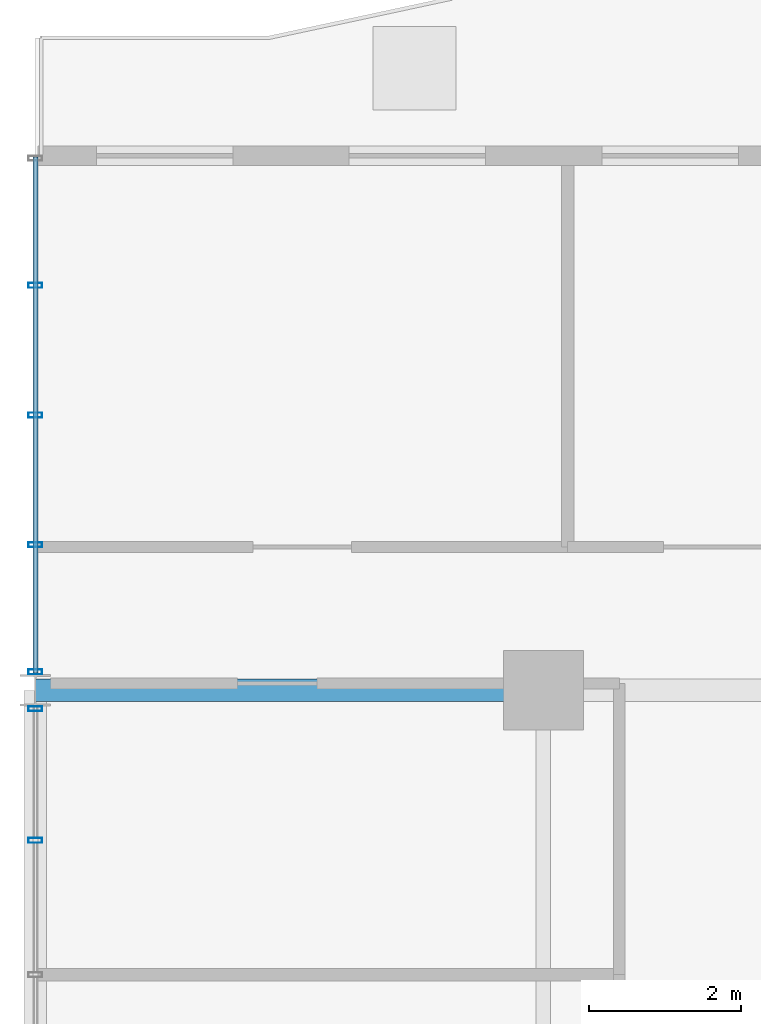
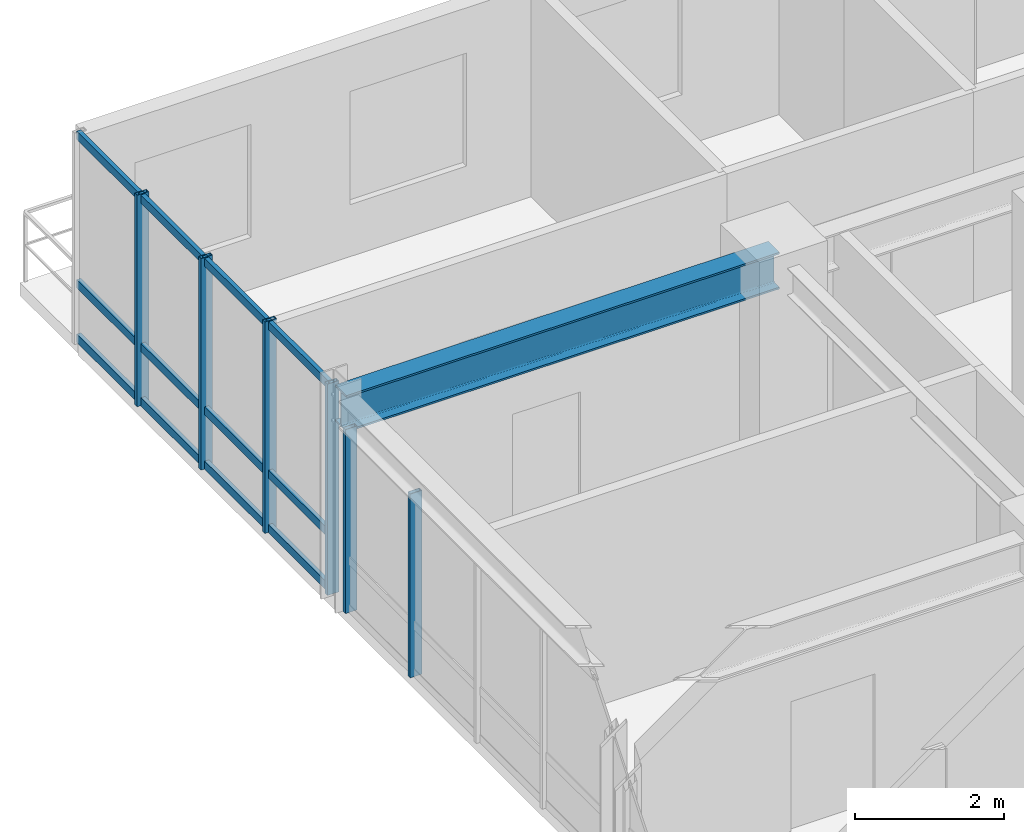
# One storey, part 7 of 19: 9 members, 1 beam, 2 elements without a shape of their own.
"""IFC4 building model written with IfcOpenShell, lengths in metres."""

import ifcopenshell
import ifcopenshell.guid

model = None  # the IFC model being written
_history = None  # IfcOwnerHistory: only IFC2X3 demands one
_inside = {}  # id of a spatial element -> (the spatial element, [elements in it])
_under = {}  # id of a project, library or spatial element -> (it, [spatial elements below it])
_declared = {}  # id of a project -> (the project, [libraries it declares])
_typed = {}  # id of a type object -> (the type object, [elements of that type])
_made_of = {}  # id of a material, layer set ... -> (it, [elements and type objects made of it])


def new_model(schema):
    """Start an empty IFC model of exactly this schema.

    Asked for "IFC4X3", IfcOpenShell would pick the latest addendum, in which some entities
    have other attributes; the version numbers below select the first issue.
    IFC2X3 requires an IfcOwnerHistory on every rooted entity: one is made here for all.
    """
    global model, _history
    if schema == "IFC4X3":
        model = ifcopenshell.file(schema_version=(4, 3, 0, 0))
    else:
        model = ifcopenshell.file(schema=schema)
    _inside.clear()
    _under.clear()
    _declared.clear()
    _typed.clear()
    _made_of.clear()
    _history = None
    if model.schema == "IFC2X3":
        org = make("IfcOrganization", Name="unknown")
        user = make(
            "IfcPersonAndOrganization",
            ThePerson=make("IfcPerson", FamilyName="unknown"),
            TheOrganization=org,
        )
        app = make(
            "IfcApplication",
            ApplicationDeveloper=org,
            Version="unknown",
            ApplicationFullName="unknown",
            ApplicationIdentifier="unknown",
        )
        _history = make(
            "IfcOwnerHistory",
            OwningUser=user,
            OwningApplication=app,
            ChangeAction="ADDED",
            CreationDate=0,
        )
    return model


def make(cls, **values):
    """One entity of the class cls with the attributes given. An attribute that is None is left unset."""
    return model.create_entity(
        cls, **{name: value for name, value in values.items() if value is not None}
    )


def rooted(cls, **values):
    """An entity with a GlobalId (a new one), such as an element, a storey or a relation."""
    return make(cls, GlobalId=ifcopenshell.guid.new(), OwnerHistory=_history, **values)


def si_unit(unit_type, name, prefix=None):
    """IfcSIUnit, for example si_unit("LENGTHUNIT", "METRE", prefix="MILLI")."""
    return make("IfcSIUnit", UnitType=unit_type, Prefix=prefix, Name=name)


def assignment(units):
    """IfcUnitAssignment: the units of a project."""
    return None if units is None else make("IfcUnitAssignment", Units=units)


def point(xyz):
    """IfcCartesianPoint."""
    return None if xyz is None else make("IfcCartesianPoint", Coordinates=xyz)


def direction(xyz):
    """IfcDirection."""
    return None if xyz is None else make("IfcDirection", DirectionRatios=xyz)


def frame(location, z_axis=None, x_axis=None):
    """IfcAxis2Placement3D, a coordinate frame: its origin and axes. An axis left out is left unset."""
    return make(
        "IfcAxis2Placement3D",
        Location=point(location),
        Axis=direction(z_axis),
        RefDirection=direction(x_axis),
    )


def frame_2d(location, x_axis=None):
    """IfcAxis2Placement2D, a coordinate frame in the plane: its origin and x axis."""
    return make(
        "IfcAxis2Placement2D", Location=point(location), RefDirection=direction(x_axis)
    )


def origin():
    """The frame at (0, 0, 0) with its axes left unset."""
    return frame((0.0, 0.0, 0.0))


def origin_2d():
    """The frame at (0, 0) in the plane with its x axis left unset."""
    return frame_2d((0.0, 0.0))


def place(relative_to, where):
    """IfcLocalPlacement: puts the frame where relative to a parent placement (None: the world)."""
    return make(
        "IfcLocalPlacement", PlacementRelTo=relative_to, RelativePlacement=where
    )


def context(
    kind, dimensions, precision=None, world=None, true_north=None, identifier=None
):
    """IfcGeometricRepresentationContext, for example the 3D "Model" context."""
    return make(
        "IfcGeometricRepresentationContext",
        ContextIdentifier=identifier,
        ContextType=kind,
        CoordinateSpaceDimension=dimensions,
        Precision=precision,
        WorldCoordinateSystem=world,
        TrueNorth=true_north,
    )


def subcontext(parent, identifier, kind, view, scale=None):
    """IfcGeometricRepresentationSubContext, for example "Body" below "Model"."""
    return make(
        "IfcGeometricRepresentationSubContext",
        ContextIdentifier=identifier,
        ContextType=kind,
        ParentContext=parent,
        TargetScale=scale,
        TargetView=view,
    )


def project(units=None, contexts=None):
    """IfcProject with its units and contexts."""
    return rooted(
        "IfcProject",
        Name="project",
        RepresentationContexts=contexts,
        UnitsInContext=assignment(units),
    )


def spatial(cls, under=None, at=None, **own):
    """A site, building, storey or space (cls), placed at a placement, below another one or the project."""
    s = rooted(cls, ObjectPlacement=at, **own)
    if under is not None:
        _under.setdefault(under.id(), (under, []))[1].append(s)
    return s


def profile(cls, at=None, kind="AREA", **sizes):
    """A parametric profile (cls). Its sizes go by their IFC names, for example OverallWidth=200.0."""
    return make(cls, ProfileType=kind, Position=at, **sizes)


def hollow_rectangle(**sizes):
    """IfcRectangleHollowProfileDef."""
    return profile("IfcRectangleHollowProfileDef", **sizes)


def i_section(**sizes):
    """IfcIShapeProfileDef."""
    return profile("IfcIShapeProfileDef", **sizes)


def extrude(swept, where, along, depth):
    """IfcExtrudedAreaSolid: the profile swept, set in the frame where, extruded along a direction by depth."""
    return make(
        "IfcExtrudedAreaSolid",
        SweptArea=swept,
        Position=where,
        ExtrudedDirection=direction(along),
        Depth=depth,
    )


def shape(context_of_items, identifier, shape_type, items):
    """IfcShapeRepresentation: the items that make up one representation, for example the "Body"."""
    return make(
        "IfcShapeRepresentation",
        ContextOfItems=context_of_items,
        RepresentationIdentifier=identifier,
        RepresentationType=shape_type,
        Items=items,
    )


def source(mapping_origin, context_of_items, identifier, shape_type, items):
    """IfcRepresentationMap: a shape defined once, which mapped items show again and again."""
    return make(
        "IfcRepresentationMap",
        MappingOrigin=mapping_origin,
        MappedRepresentation=shape(context_of_items, identifier, shape_type, items),
    )


def transform(
    local_origin,
    x_axis=None,
    y_axis=None,
    z_axis=None,
    scale=None,
    scale2=None,
    scale3=None,
    uniform=True,
):
    """IfcCartesianTransformationOperator3D, or its non-uniform kind. x_axis, y_axis, z_axis: its Axis1, 2, 3."""
    if uniform:
        return make(
            "IfcCartesianTransformationOperator3D",
            Axis1=direction(x_axis),
            Axis2=direction(y_axis),
            LocalOrigin=point(local_origin),
            Scale=scale,
            Axis3=direction(z_axis),
        )
    return make(
        "IfcCartesianTransformationOperator3DnonUniform",
        Axis1=direction(x_axis),
        Axis2=direction(y_axis),
        LocalOrigin=point(local_origin),
        Scale=scale,
        Axis3=direction(z_axis),
        Scale2=scale2,
        Scale3=scale3,
    )


def mapped(mapping_source, mapping_target):
    """IfcMappedItem: shows the shape of a source again, moved by a transform."""
    return make(
        "IfcMappedItem", MappingSource=mapping_source, MappingTarget=mapping_target
    )


def material(Name=None, Category=None):
    """IfcMaterial."""
    return make("IfcMaterial", Name=Name, Category=Category)


def layer(
    of_material, thickness, ventilated=None, Name=None, Category=None, Priority=None
):
    """IfcMaterialLayer: one layer of a wall or slab, of a material (None: an air gap)."""
    return make(
        "IfcMaterialLayer",
        Material=of_material,
        LayerThickness=thickness,
        IsVentilated=ventilated,
        Name=Name,
        Category=Category,
        Priority=Priority,
    )


def layer_set(layers, Name=None):
    """IfcMaterialLayerSet."""
    return make("IfcMaterialLayerSet", MaterialLayers=layers, LayerSetName=Name)


def material_profile(
    of_material, cross_section, Name=None, Category=None, Priority=None
):
    """IfcMaterialProfile: a cross section and its material."""
    return make(
        "IfcMaterialProfile",
        Name=Name,
        Material=of_material,
        Profile=cross_section,
        Priority=Priority,
        Category=Category,
    )


def profile_set(profiles, Name=None, composite=None):
    """IfcMaterialProfileSet."""
    return make(
        "IfcMaterialProfileSet",
        Name=Name,
        MaterialProfiles=profiles,
        CompositeProfile=composite,
    )


def made_of(thing, what):
    """Note that an element or type object is made of a material, layer set ...; save() writes the relation."""
    if what is not None:
        _made_of.setdefault(what.id(), (what, []))[1].append(thing)
    return thing


def type_object(cls, material=None, **own):
    """A type object (cls), such as IfcWallType, which elements share."""
    return made_of(rooted(cls, **own), material)


def element(
    cls,
    number,
    at=None,
    inside=None,
    cuts=None,
    type_object=None,
    material=None,
    context=None,
    identifier="Body",
    shape_type=None,
    held_by="IfcProductDefinitionShape",
    body=None,
    shapes=None,
    **own,
):
    """One element of the class cls, such as IfcWall. Its Tag is "e" and its number.

    at: its placement. inside: the storey or other place that contains it. cuts: it is an
    opening in that element (IfcRelVoidsElement). A single representation is given by context,
    identifier, shape_type and body (its items); several are given by shapes. held_by: the class
    of the entity that holds the representations. save() writes the other relations.
    """
    e = rooted(cls, Tag="e%d" % number, ObjectPlacement=at, **own)
    if body is not None:
        shapes = [shape(context, identifier, shape_type, body)]
    if shapes is not None:
        e.Representation = make(held_by, Representations=shapes)
    if inside is not None:
        _inside.setdefault(inside.id(), (inside, []))[1].append(e)
    if cuts is not None:
        rooted(
            "IfcRelVoidsElement", RelatingBuildingElement=cuts, RelatedOpeningElement=e
        )
    if type_object is not None:
        _typed.setdefault(type_object.id(), (type_object, []))[1].append(e)
    return made_of(e, material)


def aggregate(whole, parts):
    """IfcRelAggregates: a whole, such as a stair, and the parts it consists of."""
    return rooted("IfcRelAggregates", RelatingObject=whole, RelatedObjects=parts)


def save(model, path):
    """Write the relations noted so far, then the file.

    IfcRelAggregates (storeys below a building ...), IfcRelContainedInSpatialStructure (elements
    in a storey), IfcRelDefinesByType, IfcRelAssociatesMaterial and IfcRelDeclares: one each for
    every whole, place, type object, material and project.
    """
    for whole, parts in _under.values():
        aggregate(whole, parts)
    for where, things in _inside.values():
        rooted(
            "IfcRelContainedInSpatialStructure",
            RelatedElements=things,
            RelatingStructure=where,
        )
    for kind, things in _typed.values():
        rooted("IfcRelDefinesByType", RelatedObjects=things, RelatingType=kind)
    for what, things in _made_of.values():
        rooted("IfcRelAssociatesMaterial", RelatedObjects=things, RelatingMaterial=what)
    for by, libraries in _declared.values():
        rooted("IfcRelDeclares", RelatingContext=by, RelatedDefinitions=libraries)
    model.write(path)


model = new_model("IFC4")

# Units and contexts
model_context = context("Model", 3, precision=1e-05, world=origin(), true_north=direction((0.0, 1.0)))
body_context = subcontext(model_context, "Body", "Model", "MODEL_VIEW")
ifc_project = project(units=[si_unit("LENGTHUNIT", "METRE"), si_unit("AREAUNIT", "SQUARE_METRE"), si_unit("VOLUMEUNIT", "CUBIC_METRE"), si_unit("PLANEANGLEUNIT", "RADIAN"), si_unit("MASSUNIT", "GRAM", prefix="KILO")], contexts=[model_context])

# Site, building, storey
site_placement = place(None, origin())
site = spatial("IfcSite", under=ifc_project, at=site_placement, CompositionType="ELEMENT")
building_placement = place(site_placement, origin())
building = spatial("IfcBuilding", under=site, at=building_placement, Name="Kaliganga Portal Commons", CompositionType="ELEMENT")
storey_placement = place(building_placement, frame((0.0, 0.0, 184.60009765625)))
storey = spatial("IfcBuildingStorey", under=building, at=storey_placement, Name="L47", CompositionType="ELEMENT", Elevation=184.60009765625)

# Beam
ifc_material_1 = material(Name="Structural steel S355J2", Category="steel")
ifc_material_profile_1 = material_profile(ifc_material_1, i_section(OverallWidth=0.300048828125, OverallDepth=0.60009765625, WebThickness=0.015380859375, FlangeThickness=0.030029296875, FilletRadius=0.027099609375, at=origin_2d()), Name="HE 600 B")
ifc_profile_set_1 = profile_set([ifc_material_profile_1], Name="Structural steel S355J2 wide-flange")
beam_type = type_object("IfcBeamType", Name="BM-GIRD-600", PredefinedType="USERDEFINED", material=ifc_profile_set_1)
shared_shape_1 = source(origin(), body_context, "Body", "SweptSolid", [
    extrude(i_section(OverallWidth=0.300048828125, OverallDepth=0.60009765625, WebThickness=0.015380859375, FlangeThickness=0.030029296875, FilletRadius=0.027099609375, at=origin_2d()), origin(), (0.0, 0.0, 1.0), 6.699951171875),
])
beam_placement = place(storey_placement, frame((0.5, 36.14990234375, 3.159912109375), z_axis=(1.0, 0.0, 0.0), x_axis=(0.0, 1.0, 0.0)))
element("IfcBeam", 1, at=beam_placement, inside=storey, type_object=beam_type, Name="BM G L47 WAH_N 1", ObjectType="GIRDER", PredefinedType="USERDEFINED", context=body_context, shape_type="MappedRepresentation", body=[
    mapped(shared_shape_1, transform((0.0, 0.0, 0.0), x_axis=(1.0, 0.0, 0.0), y_axis=(0.0, 1.0, 0.0), z_axis=(0.0, 0.0, 1.0), scale=1.0)),
])

# Curtain wall, members
ifc_material_2 = material(Name="Anodized Aluminium and Laminated Low-E Glass", Category="aluminium")
ifc_layer = layer(ifc_material_2, 0.199951171875)
ifc_layer_set = layer_set([ifc_layer], Name="Anodized Aluminium and Laminated Low-E Glass")
curtain_wall_type = type_object("IfcCurtainWallType", Name="CW-SYS-02", PredefinedType="NOTDEFINED", material=ifc_layer_set)
curtain_wall_1_placement = place(storey_placement, origin())
curtain_wall_1 = element("IfcCurtainWall", 2, at=curtain_wall_1_placement, inside=storey, type_object=curtain_wall_type, Name="CW 02 L47 P1E03S1", PredefinedType="NOTDEFINED")
ifc_material_3 = material(Name="Dark Bronze Anodized Aluminium", Category="aluminium")
ifc_material_profile_2 = material_profile(ifc_material_3, hollow_rectangle(XDim=0.06494140625, YDim=0.179931640625, WallThickness=0.00390625, at=origin_2d()), Name="ALU MULL 65x180x4")
ifc_profile_set_2 = profile_set([ifc_material_profile_2], Name="Dark Bronze Anodized Aluminium")
member_type_1 = type_object("IfcMemberType", Name="CW-MUL-180", PredefinedType="MULLION", material=ifc_profile_set_2)
shared_shape_2 = source(origin(), body_context, "Body", "SweptSolid", [
    extrude(hollow_rectangle(XDim=0.06494140625, YDim=0.179931640625, WallThickness=0.00390625, at=origin_2d()), origin(), (0.0, 0.0, 1.0), 3.4599609375),
])
member_1_placement = place(storey_placement, frame((0.5, 41.489501953125, 0.0), z_axis=(0.0, 0.0, 1.0), x_axis=(0.0, -1.0, 0.0)))
member_1 = element("IfcMember", 3, at=member_1_placement, type_object=member_type_1, Name="CW:02:L47:P1E03S1 Mullion 01", PredefinedType="MULLION", context=body_context, shape_type="MappedRepresentation", body=[
    mapped(shared_shape_2, transform((0.0, 0.0, 0.0), x_axis=(1.0, 0.0, 0.0), y_axis=(0.0, 1.0, 0.0), z_axis=(0.0, 0.0, 1.0), scale=1.0)),
])
member_2_placement = place(storey_placement, frame((0.5, 39.779052734375, 0.0), z_axis=(0.0, 0.0, 1.0), x_axis=(0.0, -1.0, 0.0)))
member_2 = element("IfcMember", 4, at=member_2_placement, type_object=member_type_1, Name="CW:02:L47:P1E03S1 Mullion 02", PredefinedType="MULLION", context=body_context, shape_type="MappedRepresentation", body=[
    mapped(shared_shape_2, transform((0.0, 0.0, 0.0), x_axis=(1.0, 0.0, 0.0), y_axis=(0.0, 1.0, 0.0), z_axis=(0.0, 0.0, 1.0), scale=1.0)),
])
member_3_placement = place(storey_placement, frame((0.5, 38.068603515625, 0.0), z_axis=(0.0, 0.0, 1.0), x_axis=(0.0, -1.0, 0.0)))
member_3 = element("IfcMember", 5, at=member_3_placement, type_object=member_type_1, Name="CW:02:L47:P1E03S1 Mullion 03", PredefinedType="MULLION", context=body_context, shape_type="MappedRepresentation", body=[
    mapped(shared_shape_2, transform((0.0, 0.0, 0.0), x_axis=(1.0, 0.0, 0.0), y_axis=(0.0, 1.0, 0.0), z_axis=(0.0, 0.0, 1.0), scale=1.0)),
])
member_4_placement = place(storey_placement, frame((0.5, 36.39306640625, 0.0), z_axis=(0.0, 0.0, 1.0), x_axis=(0.0, -1.0, 0.0)))
member_4 = element("IfcMember", 6, at=member_4_placement, type_object=member_type_1, Name="CW:02:L47:P1E03S1 Mullion 04", PredefinedType="MULLION", context=body_context, shape_type="MappedRepresentation", body=[
    mapped(shared_shape_2, transform((0.0, 0.0, 0.0), x_axis=(1.0, 0.0, 0.0), y_axis=(0.0, 1.0, 0.0), z_axis=(0.0, 0.0, 1.0), scale=1.0)),
])
ifc_material_profile_3 = material_profile(ifc_material_3, hollow_rectangle(XDim=0.06494140625, YDim=0.135009765625, WallThickness=0.00341796875, at=origin_2d()), Name="ALU TRAN 65x135x3.5")
ifc_profile_set_3 = profile_set([ifc_material_profile_3], Name="Dark Bronze Anodized Aluminium")
member_type_2 = type_object("IfcMemberType", Name="CW-TRN-135", PredefinedType="USERDEFINED", material=ifc_profile_set_3)
shared_shape_3 = source(origin(), body_context, "Body", "SweptSolid", [
    extrude(hollow_rectangle(XDim=0.06494140625, YDim=0.135009765625, WallThickness=0.00341796875, at=origin_2d()), origin(), (0.0, 0.0, 1.0), 6.802001953125),
])
member_5_placement = place(storey_placement, frame((0.5, 43.179931640625, 0.059814453125), z_axis=(0.0, -1.0, 0.0), x_axis=(1.0, 0.0, 0.0)))
member_5 = element("IfcMember", 7, at=member_5_placement, type_object=member_type_2, Name="CW:02:L47:P1E03S1 Transom 1", ObjectType="TRANSOM", PredefinedType="USERDEFINED", context=body_context, shape_type="MappedRepresentation", body=[
    mapped(shared_shape_3, transform((0.0, 0.0, 0.0), x_axis=(1.0, 0.0, 0.0), y_axis=(0.0, 1.0, 0.0), z_axis=(0.0, 0.0, 1.0), scale=1.0)),
])
member_6_placement = place(storey_placement, frame((0.5, 43.179931640625, 0.949951171875), z_axis=(0.0, -1.0, 0.0), x_axis=(1.0, 0.0, 0.0)))
member_6 = element("IfcMember", 8, at=member_6_placement, type_object=member_type_2, Name="CW:02:L47:P1E03S1 Transom 2", ObjectType="TRANSOM", PredefinedType="USERDEFINED", context=body_context, shape_type="MappedRepresentation", body=[
    mapped(shared_shape_3, transform((0.0, 0.0, 0.0), x_axis=(1.0, 0.0, 0.0), y_axis=(0.0, 1.0, 0.0), z_axis=(0.0, 0.0, 1.0), scale=1.0)),
])
member_7_placement = place(storey_placement, frame((0.5, 43.179931640625, 3.3798828125), z_axis=(0.0, -1.0, 0.0), x_axis=(1.0, 0.0, 0.0)))
member_7 = element("IfcMember", 9, at=member_7_placement, type_object=member_type_2, Name="CW:02:L47:P1E03S1 Transom 3", ObjectType="TRANSOM", PredefinedType="USERDEFINED", context=body_context, shape_type="MappedRepresentation", body=[
    mapped(shared_shape_3, transform((0.0, 0.0, 0.0), x_axis=(1.0, 0.0, 0.0), y_axis=(0.0, 1.0, 0.0), z_axis=(0.0, 0.0, 1.0), scale=1.0)),
])
aggregate(curtain_wall_1, [member_1, member_2, member_3, member_4, member_5, member_6, member_7])

curtain_wall_2_placement = place(storey_placement, origin())
curtain_wall_2 = element("IfcCurtainWall", 10, at=curtain_wall_2_placement, inside=storey, type_object=curtain_wall_type, Name="CW 02 L47 P1E03S2", PredefinedType="NOTDEFINED")
shared_shape_4 = source(origin(), body_context, "Body", "SweptSolid", [
    extrude(hollow_rectangle(XDim=0.06494140625, YDim=0.179931640625, WallThickness=0.00390625, at=origin_2d()), origin(), (0.0, 0.0, 1.0), 3.010009765625),
])
member_8_placement = place(storey_placement, frame((0.5, 35.906982421875, 0.0), z_axis=(0.0, 0.0, 1.0), x_axis=(0.0, -1.0, 0.0)))
member_8 = element("IfcMember", 11, at=member_8_placement, type_object=member_type_1, Name="CW:02:L47:P1E03S2 Mullion 00", PredefinedType="MULLION", context=body_context, shape_type="MappedRepresentation", body=[
    mapped(shared_shape_4, transform((0.0, 0.0, 0.0), x_axis=(1.0, 0.0, 0.0), y_axis=(0.0, 1.0, 0.0), z_axis=(0.0, 0.0, 1.0), scale=1.0)),
])
member_9_placement = place(storey_placement, frame((0.5, 34.1708984375, 0.0), z_axis=(0.0, 0.0, 1.0), x_axis=(0.0, -1.0, 0.0)))
member_9 = element("IfcMember", 12, at=member_9_placement, type_object=member_type_1, Name="CW:02:L47:P1E03S2 Mullion 01", PredefinedType="MULLION", context=body_context, shape_type="MappedRepresentation", body=[
    mapped(shared_shape_4, transform((0.0, 0.0, 0.0), x_axis=(1.0, 0.0, 0.0), y_axis=(0.0, 1.0, 0.0), z_axis=(0.0, 0.0, 1.0), scale=1.0)),
])
aggregate(curtain_wall_2, [member_8, member_9])

save(model, "model.ifc")
